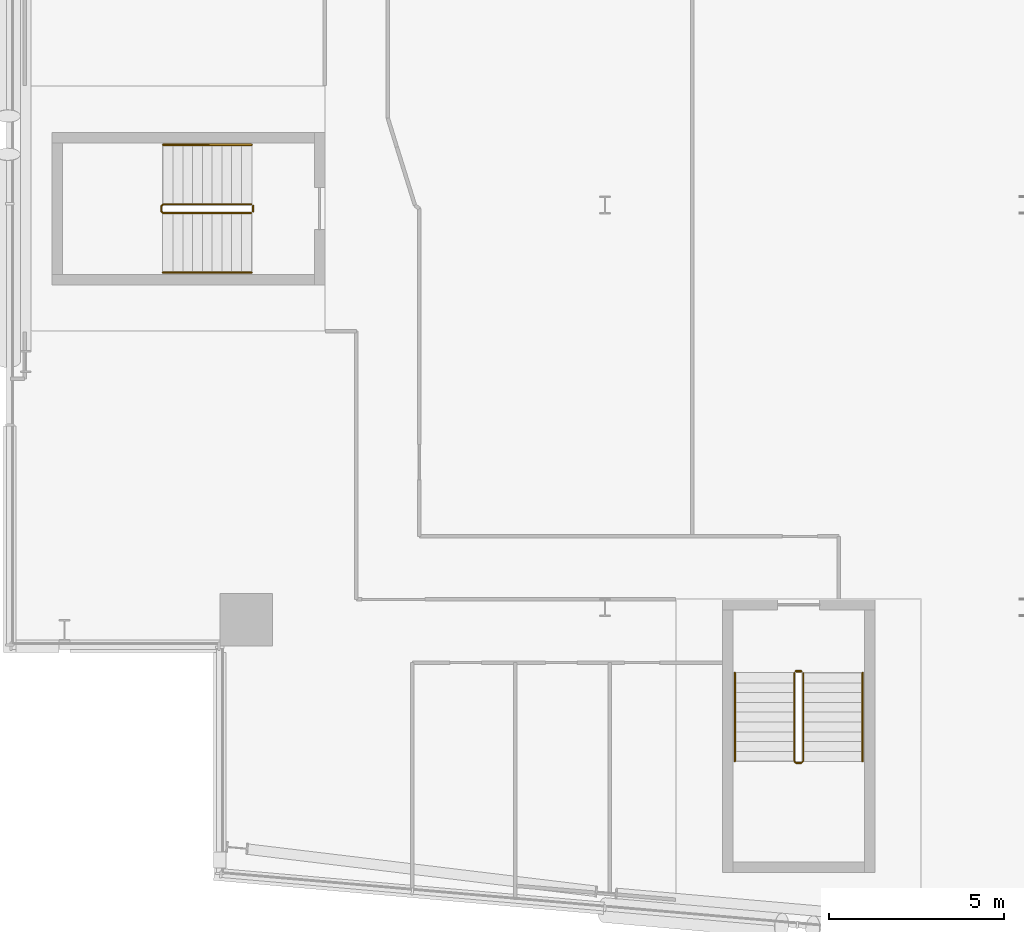
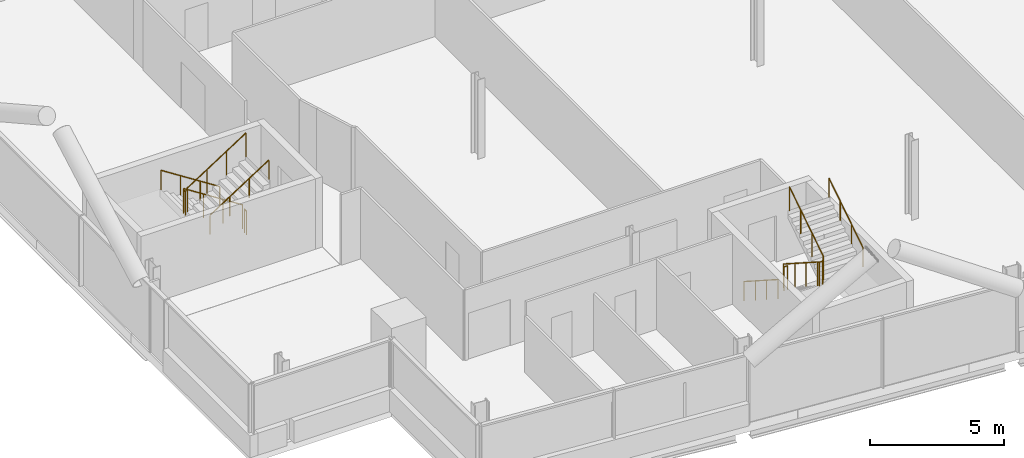
# One storey, part 24 of 26: 8 railings.
"""IFC4 building model written with IfcOpenShell, lengths in metres."""

from ifc_helpers import new_model, si_unit, direction, frame, origin, origin_2d, place, context, subcontext, project, spatial, circle, extrude, material, type_object, element, save


model = new_model("IFC4")

# Units and contexts
model_context = context("Model", 3, precision=1e-05, world=origin(), true_north=direction((0.0, 1.0)))
body_context = subcontext(model_context, "Body", "Model", "MODEL_VIEW")
ifc_project = project(units=[si_unit("LENGTHUNIT", "METRE"), si_unit("AREAUNIT", "SQUARE_METRE"), si_unit("VOLUMEUNIT", "CUBIC_METRE"), si_unit("PLANEANGLEUNIT", "RADIAN"), si_unit("MASSUNIT", "GRAM", prefix="KILO")], contexts=[model_context])

# Site, building, storey
site_placement = place(None, origin())
site = spatial("IfcSite", under=ifc_project, at=site_placement, CompositionType="ELEMENT")
building_placement = place(site_placement, origin())
building = spatial("IfcBuilding", under=site, at=building_placement, Name="Wharfspan Tower", CompositionType="ELEMENT")
storey_placement = place(building_placement, frame((0.0, 0.0, 184.300049)))
storey = spatial("IfcBuildingStorey", under=building, at=storey_placement, Name="L45", CompositionType="ELEMENT", Elevation=184.300049)

# Railings
ifc_material = material(Name="Steel S355J2", Category="steel")
railing_type_1 = type_object("IfcRailingType", Name="Stair guard 1100", PredefinedType="GUARDRAIL", material=ifc_material)
railing_1_placement = place(storey_placement, frame((13.899902, 23.024902, 0.179932)))
element("IfcRailing", 1, at=railing_1_placement, inside=storey, type_object=railing_type_1, Name="L45 ST3 stair guard 1", PredefinedType="GUARDRAIL", context=body_context, shape_type="SweptSolid", body=[
    extrude(circle(Radius=0.023926, at=origin_2d()), frame((0.0, 0.0, 1.076172), z_axis=(-0.841163, 0.0, 0.540782), x_axis=(0.0, -1.0, 0.0)), (0.0, 0.0, 1.0), 2.99585),
    extrude(circle(Radius=0.023926, at=origin_2d()), frame((-2.52002, 0.0, 2.696289), z_axis=(-0.707107, -0.707107, 0.0), x_axis=(0.707107, -0.707107, 0.0)), (0.0, 0.0, 1.0), 0.070312),
    extrude(circle(Radius=0.023926, at=origin_2d()), frame((-2.569824, -0.049805, 2.696289), z_axis=(0.0, -1.0, 0.0), x_axis=(1.0, 0.0, 0.0)), (0.0, 0.0, 1.0), 0.150146),
    extrude(circle(Radius=0.023926, at=origin_2d()), frame((-2.569824, -0.199951, 2.696289), z_axis=(0.257669, -0.258932, 0.930892), x_axis=(0.708833, 0.705372, -1e-06)), (0.0, 0.0, 1.0), 0.193359),
    extrude(circle(Radius=0.023926, at=origin_2d()), frame((-2.52002, -0.25, 2.875977), z_axis=(0.8412, 0.0, 0.540725), x_axis=(0.0, 1.0, 0.0)), (0.0, 0.0, 1.0), 2.99585),
    extrude(circle(Radius=0.020996, at=origin_2d()), origin(), (0.0, 0.0, 1.0), 1.052002),
    extrude(circle(Radius=0.020996, at=origin_2d()), frame((-0.840088, 0.0, 0.540039)), (0.0, 0.0, 1.0), 1.052002),
    extrude(circle(Radius=0.020996, at=origin_2d()), frame((-1.679932, 0.0, 1.080078)), (0.0, 0.0, 1.0), 1.052002),
    extrude(circle(Radius=0.020996, at=origin_2d()), frame((-2.52002, 0.0, 1.620117)), (0.0, 0.0, 1.0), 1.052002),
    extrude(circle(Radius=0.020996, at=origin_2d()), frame((-2.569824, -0.049805, 1.620117)), (0.0, 0.0, 1.0), 1.052002),
    extrude(circle(Radius=0.020996, at=origin_2d()), frame((-2.569824, -0.199951, 1.620117)), (0.0, 0.0, 1.0), 1.052002),
    extrude(circle(Radius=0.020996, at=origin_2d()), frame((-2.52002, -0.25, 1.800049)), (0.0, 0.0, 1.0), 1.052002),
    extrude(circle(Radius=0.020996, at=origin_2d()), frame((-1.679932, -0.25, 2.340088)), (0.0, 0.0, 1.0), 1.052002),
    extrude(circle(Radius=0.020996, at=origin_2d()), frame((-0.840088, -0.25, 2.879883)), (0.0, 0.0, 1.0), 1.052002),
    extrude(circle(Radius=0.020996, at=origin_2d()), frame((0.0, -0.25, 3.419922)), (0.0, 0.0, 1.0), 1.052002),
])
railing_2_placement = place(storey_placement, frame((13.949951, 22.975098, 0.0)))
element("IfcRailing", 2, at=railing_2_placement, inside=storey, type_object=railing_type_1, Name="L45 ST3 stair guard 2", PredefinedType="GUARDRAIL", context=body_context, shape_type="SweptSolid", body=[
    extrude(circle(Radius=0.023926, at=origin_2d()), frame((0.0, 0.0, 1.076172), z_axis=(0.0, -1.0, 0.0), x_axis=(1.0, 0.0, 0.0)), (0.0, 0.0, 1.0), 0.150146),
    extrude(circle(Radius=0.020996, at=origin_2d()), origin(), (0.0, 0.0, 1.0), 1.052002),
    extrude(circle(Radius=0.020996, at=origin_2d()), frame((0.0, -0.150146, 0.0)), (0.0, 0.0, 1.0), 1.052002),
])
railing_3_placement = place(storey_placement, frame((29.414307, 9.634277, 0.179932)))
element("IfcRailing", 3, at=railing_3_placement, inside=storey, type_object=railing_type_1, Name="L45 ST4 stair guard 1", PredefinedType="GUARDRAIL", context=body_context, shape_type="SweptSolid", body=[
    extrude(circle(Radius=0.023926, at=origin_2d()), frame((0.0, 0.0, 1.076172), z_axis=(0.0, -0.841163, 0.540782), x_axis=(1.0, 0.0, 0.0)), (0.0, 0.0, 1.0), 2.99585),
    extrude(circle(Radius=0.023926, at=origin_2d()), frame((0.0, -2.52002, 2.696289), z_axis=(0.705376, -0.708834, 0.0), x_axis=(0.708834, 0.705376, 0.0)), (0.0, 0.0, 1.0), 0.070557),
    extrude(circle(Radius=0.023926, at=origin_2d()), frame((0.049805, -2.570068, 2.696289), z_axis=(1.0, 0.0, 0.0), x_axis=(0.0, 1.0, 0.0)), (0.0, 0.0, 1.0), 0.150146),
    extrude(circle(Radius=0.023926, at=origin_2d()), frame((0.199951, -2.570068, 2.696289), z_axis=(0.258848, 0.258848, 0.930589), x_axis=(-0.707107, 0.707107, 0.0)), (0.0, 0.0, 1.0), 0.193359),
    extrude(circle(Radius=0.023926, at=origin_2d()), frame((0.25, -2.52002, 2.875977), z_axis=(0.0, 0.8412, 0.540725), x_axis=(-1.0, 0.0, 0.0)), (0.0, 0.0, 1.0), 2.99585),
    extrude(circle(Radius=0.020996, at=origin_2d()), origin(), (0.0, 0.0, 1.0), 1.052002),
    extrude(circle(Radius=0.020996, at=origin_2d()), frame((0.0, -0.840088, 0.540039)), (0.0, 0.0, 1.0), 1.052002),
    extrude(circle(Radius=0.020996, at=origin_2d()), frame((0.0, -1.679932, 1.080078)), (0.0, 0.0, 1.0), 1.052002),
    extrude(circle(Radius=0.020996, at=origin_2d()), frame((0.0, -2.52002, 1.620117)), (0.0, 0.0, 1.0), 1.052002),
    extrude(circle(Radius=0.020996, at=origin_2d()), frame((0.049805, -2.570068, 1.620117)), (0.0, 0.0, 1.0), 1.052002),
    extrude(circle(Radius=0.020996, at=origin_2d()), frame((0.199951, -2.570068, 1.620117)), (0.0, 0.0, 1.0), 1.052002),
    extrude(circle(Radius=0.020996, at=origin_2d()), frame((0.25, -2.52002, 1.800049)), (0.0, 0.0, 1.0), 1.052002),
    extrude(circle(Radius=0.020996, at=origin_2d()), frame((0.25, -1.679932, 2.340088)), (0.0, 0.0, 1.0), 1.052002),
    extrude(circle(Radius=0.020996, at=origin_2d()), frame((0.25, -0.840088, 2.879883)), (0.0, 0.0, 1.0), 1.052002),
    extrude(circle(Radius=0.020996, at=origin_2d()), frame((0.25, 0.0, 3.419922)), (0.0, 0.0, 1.0), 1.052002),
])
railing_4_placement = place(storey_placement, frame((29.464111, 9.684326, 0.0)))
element("IfcRailing", 4, at=railing_4_placement, inside=storey, type_object=railing_type_1, Name="L45 ST4 stair guard 2", PredefinedType="GUARDRAIL", context=body_context, shape_type="SweptSolid", body=[
    extrude(circle(Radius=0.023926, at=origin_2d()), frame((0.0, 0.0, 1.076172), z_axis=(1.0, 0.0, 0.0), x_axis=(0.0, 1.0, 0.0)), (0.0, 0.0, 1.0), 0.150146),
    extrude(circle(Radius=0.020996, at=origin_2d()), origin(), (0.0, 0.0, 1.0), 1.052002),
    extrude(circle(Radius=0.020996, at=origin_2d()), frame((0.150146, 0.0, 0.0)), (0.0, 0.0, 1.0), 1.052002),
])
railing_type_2 = type_object("IfcRailingType", Name="Stair handrail 900", PredefinedType="HANDRAIL", material=ifc_material)
railing_5_placement = place(storey_placement, frame((13.899902, 24.725098, 0.179932)))
element("IfcRailing", 5, at=railing_5_placement, inside=storey, type_object=railing_type_2, Name="L45 ST3 stair handrail 1", PredefinedType="HANDRAIL", context=body_context, shape_type="SweptSolid", body=[
    extrude(circle(Radius=0.023926, at=origin_2d()), frame((0.0, 0.0, 0.875977), z_axis=(-0.841163, 0.0, 0.540782), x_axis=(0.0, -1.0, 0.0)), (0.0, 0.0, 1.0), 2.99585),
    extrude(circle(Radius=0.020996, at=origin_2d()), origin(), (0.0, 0.0, 1.0), 0.851807),
    extrude(circle(Radius=0.020996, at=origin_2d()), frame((-0.840088, 0.0, 0.540039)), (0.0, 0.0, 1.0), 0.851807),
    extrude(circle(Radius=0.020996, at=origin_2d()), frame((-1.679932, 0.0, 1.080078)), (0.0, 0.0, 1.0), 0.851807),
    extrude(circle(Radius=0.020996, at=origin_2d()), frame((-2.52002, 0.0, 1.620117)), (0.0, 0.0, 1.0), 0.851807),
])
railing_6_placement = place(storey_placement, frame((11.379883, 21.074951, 1.97998)))
element("IfcRailing", 6, at=railing_6_placement, inside=storey, type_object=railing_type_2, Name="L45 ST3 stair handrail 2", PredefinedType="HANDRAIL", context=body_context, shape_type="SweptSolid", body=[
    extrude(circle(Radius=0.023926, at=origin_2d()), frame((0.0, 0.0, 0.875977), z_axis=(0.8412, 0.0, 0.540725), x_axis=(0.0, 1.0, 0.0)), (0.0, 0.0, 1.0), 2.99585),
    extrude(circle(Radius=0.020996, at=origin_2d()), origin(), (0.0, 0.0, 1.0), 0.851807),
    extrude(circle(Radius=0.020996, at=origin_2d()), frame((0.840088, 0.0, 0.540039)), (0.0, 0.0, 1.0), 0.851807),
    extrude(circle(Radius=0.020996, at=origin_2d()), frame((1.679932, 0.0, 1.079834)), (0.0, 0.0, 1.0), 0.851807),
    extrude(circle(Radius=0.020996, at=origin_2d()), frame((2.52002, 0.0, 1.619873)), (0.0, 0.0, 1.0), 0.851807),
])
railing_7_placement = place(storey_placement, frame((27.714111, 9.634277, 0.179932)))
element("IfcRailing", 7, at=railing_7_placement, inside=storey, type_object=railing_type_2, Name="L45 ST4 stair handrail 1", PredefinedType="HANDRAIL", context=body_context, shape_type="SweptSolid", body=[
    extrude(circle(Radius=0.023926, at=origin_2d()), frame((0.0, 0.0, 0.875977), z_axis=(0.0, -0.841163, 0.540782), x_axis=(1.0, 0.0, 0.0)), (0.0, 0.0, 1.0), 2.99585),
    extrude(circle(Radius=0.020996, at=origin_2d()), origin(), (0.0, 0.0, 1.0), 0.851807),
    extrude(circle(Radius=0.020996, at=origin_2d()), frame((0.0, -0.840088, 0.540039)), (0.0, 0.0, 1.0), 0.851807),
    extrude(circle(Radius=0.020996, at=origin_2d()), frame((0.0, -1.679932, 1.080078)), (0.0, 0.0, 1.0), 0.851807),
    extrude(circle(Radius=0.020996, at=origin_2d()), frame((0.0, -2.52002, 1.620117)), (0.0, 0.0, 1.0), 0.851807),
])
railing_8_placement = place(storey_placement, frame((31.364258, 7.114258, 1.97998)))
element("IfcRailing", 8, at=railing_8_placement, inside=storey, type_object=railing_type_2, Name="L45 ST4 stair handrail 2", PredefinedType="HANDRAIL", context=body_context, shape_type="SweptSolid", body=[
    extrude(circle(Radius=0.023926, at=origin_2d()), frame((0.0, 0.0, 0.875977), z_axis=(0.0, 0.8412, 0.540725), x_axis=(-1.0, 0.0, 0.0)), (0.0, 0.0, 1.0), 2.99585),
    extrude(circle(Radius=0.020996, at=origin_2d()), origin(), (0.0, 0.0, 1.0), 0.851807),
    extrude(circle(Radius=0.020996, at=origin_2d()), frame((0.0, 0.840088, 0.540039)), (0.0, 0.0, 1.0), 0.851807),
    extrude(circle(Radius=0.020996, at=origin_2d()), frame((0.0, 1.679932, 1.079834)), (0.0, 0.0, 1.0), 0.851807),
    extrude(circle(Radius=0.020996, at=origin_2d()), frame((0.0, 2.52002, 1.619873)), (0.0, 0.0, 1.0), 0.851807),
])

save(model, "model.ifc")
